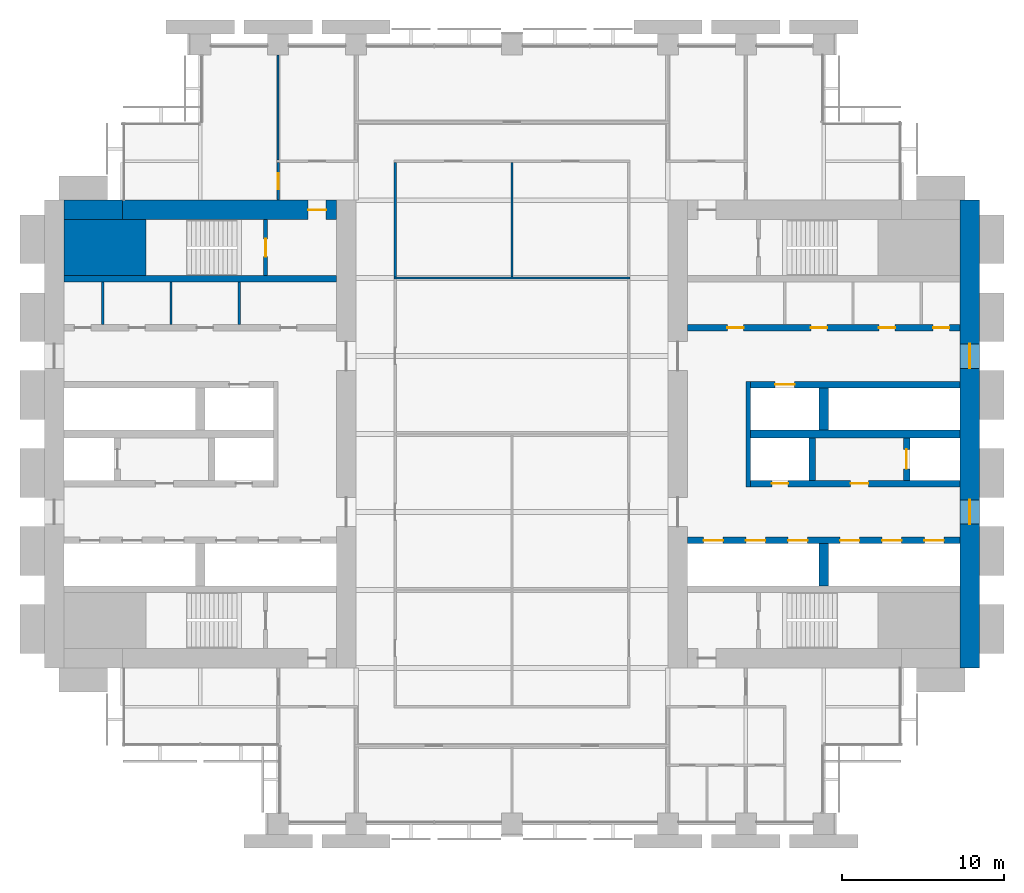
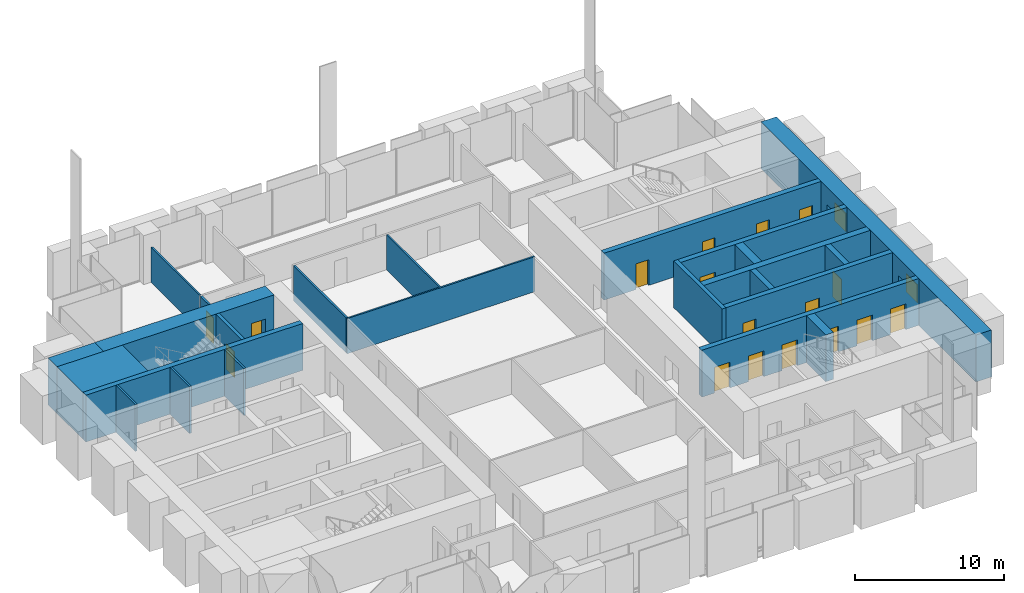
# One storey, part 11 of 14: 24 walls, 17 doors, 2 windows, 19 openings.
"""IFC4 building model written with IfcOpenShell, lengths in metres."""

import ifcopenshell
import ifcopenshell.guid

model = None  # the IFC model being written
_history = None  # IfcOwnerHistory: only IFC2X3 demands one
_inside = {}  # id of a spatial element -> (the spatial element, [elements in it])
_under = {}  # id of a project, library or spatial element -> (it, [spatial elements below it])
_declared = {}  # id of a project -> (the project, [libraries it declares])
_typed = {}  # id of a type object -> (the type object, [elements of that type])
_made_of = {}  # id of a material, layer set ... -> (it, [elements and type objects made of it])


def new_model(schema):
    """Start an empty IFC model of exactly this schema.

    Asked for "IFC4X3", IfcOpenShell would pick the latest addendum, in which some entities
    have other attributes; the version numbers below select the first issue.
    IFC2X3 requires an IfcOwnerHistory on every rooted entity: one is made here for all.
    """
    global model, _history
    if schema == "IFC4X3":
        model = ifcopenshell.file(schema_version=(4, 3, 0, 0))
    else:
        model = ifcopenshell.file(schema=schema)
    _inside.clear()
    _under.clear()
    _declared.clear()
    _typed.clear()
    _made_of.clear()
    _history = None
    if model.schema == "IFC2X3":
        org = make("IfcOrganization", Name="unknown")
        user = make(
            "IfcPersonAndOrganization",
            ThePerson=make("IfcPerson", FamilyName="unknown"),
            TheOrganization=org,
        )
        app = make(
            "IfcApplication",
            ApplicationDeveloper=org,
            Version="unknown",
            ApplicationFullName="unknown",
            ApplicationIdentifier="unknown",
        )
        _history = make(
            "IfcOwnerHistory",
            OwningUser=user,
            OwningApplication=app,
            ChangeAction="ADDED",
            CreationDate=0,
        )
    return model


def make(cls, **values):
    """One entity of the class cls with the attributes given. An attribute that is None is left unset."""
    return model.create_entity(
        cls, **{name: value for name, value in values.items() if value is not None}
    )


def rooted(cls, **values):
    """An entity with a GlobalId (a new one), such as an element, a storey or a relation."""
    return make(cls, GlobalId=ifcopenshell.guid.new(), OwnerHistory=_history, **values)


def si_unit(unit_type, name, prefix=None):
    """IfcSIUnit, for example si_unit("LENGTHUNIT", "METRE", prefix="MILLI")."""
    return make("IfcSIUnit", UnitType=unit_type, Prefix=prefix, Name=name)


def assignment(units):
    """IfcUnitAssignment: the units of a project."""
    return None if units is None else make("IfcUnitAssignment", Units=units)


def point(xyz):
    """IfcCartesianPoint."""
    return None if xyz is None else make("IfcCartesianPoint", Coordinates=xyz)


def direction(xyz):
    """IfcDirection."""
    return None if xyz is None else make("IfcDirection", DirectionRatios=xyz)


def frame(location, z_axis=None, x_axis=None):
    """IfcAxis2Placement3D, a coordinate frame: its origin and axes. An axis left out is left unset."""
    return make(
        "IfcAxis2Placement3D",
        Location=point(location),
        Axis=direction(z_axis),
        RefDirection=direction(x_axis),
    )


def frame_2d(location, x_axis=None):
    """IfcAxis2Placement2D, a coordinate frame in the plane: its origin and x axis."""
    return make(
        "IfcAxis2Placement2D", Location=point(location), RefDirection=direction(x_axis)
    )


def origin():
    """The frame at (0, 0, 0) with its axes left unset."""
    return frame((0.0, 0.0, 0.0))


def place(relative_to, where):
    """IfcLocalPlacement: puts the frame where relative to a parent placement (None: the world)."""
    return make(
        "IfcLocalPlacement", PlacementRelTo=relative_to, RelativePlacement=where
    )


def context(
    kind, dimensions, precision=None, world=None, true_north=None, identifier=None
):
    """IfcGeometricRepresentationContext, for example the 3D "Model" context."""
    return make(
        "IfcGeometricRepresentationContext",
        ContextIdentifier=identifier,
        ContextType=kind,
        CoordinateSpaceDimension=dimensions,
        Precision=precision,
        WorldCoordinateSystem=world,
        TrueNorth=true_north,
    )


def subcontext(parent, identifier, kind, view, scale=None):
    """IfcGeometricRepresentationSubContext, for example "Body" below "Model"."""
    return make(
        "IfcGeometricRepresentationSubContext",
        ContextIdentifier=identifier,
        ContextType=kind,
        ParentContext=parent,
        TargetScale=scale,
        TargetView=view,
    )


def project(units=None, contexts=None):
    """IfcProject with its units and contexts."""
    return rooted(
        "IfcProject",
        Name="project",
        RepresentationContexts=contexts,
        UnitsInContext=assignment(units),
    )


def spatial(cls, under=None, at=None, **own):
    """A site, building, storey or space (cls), placed at a placement, below another one or the project."""
    s = rooted(cls, ObjectPlacement=at, **own)
    if under is not None:
        _under.setdefault(under.id(), (under, []))[1].append(s)
    return s


def profile(cls, at=None, kind="AREA", **sizes):
    """A parametric profile (cls). Its sizes go by their IFC names, for example OverallWidth=200.0."""
    return make(cls, ProfileType=kind, Position=at, **sizes)


def rectangle(**sizes):
    """IfcRectangleProfileDef."""
    return profile("IfcRectangleProfileDef", **sizes)


def extrude(swept, where, along, depth):
    """IfcExtrudedAreaSolid: the profile swept, set in the frame where, extruded along a direction by depth."""
    return make(
        "IfcExtrudedAreaSolid",
        SweptArea=swept,
        Position=where,
        ExtrudedDirection=direction(along),
        Depth=depth,
    )


def shape(context_of_items, identifier, shape_type, items):
    """IfcShapeRepresentation: the items that make up one representation, for example the "Body"."""
    return make(
        "IfcShapeRepresentation",
        ContextOfItems=context_of_items,
        RepresentationIdentifier=identifier,
        RepresentationType=shape_type,
        Items=items,
    )


def material(Name=None, Category=None):
    """IfcMaterial."""
    return make("IfcMaterial", Name=Name, Category=Category)


def layer(
    of_material, thickness, ventilated=None, Name=None, Category=None, Priority=None
):
    """IfcMaterialLayer: one layer of a wall or slab, of a material (None: an air gap)."""
    return make(
        "IfcMaterialLayer",
        Material=of_material,
        LayerThickness=thickness,
        IsVentilated=ventilated,
        Name=Name,
        Category=Category,
        Priority=Priority,
    )


def layer_set(layers, Name=None):
    """IfcMaterialLayerSet."""
    return make("IfcMaterialLayerSet", MaterialLayers=layers, LayerSetName=Name)


def made_of(thing, what):
    """Note that an element or type object is made of a material, layer set ...; save() writes the relation."""
    if what is not None:
        _made_of.setdefault(what.id(), (what, []))[1].append(thing)
    return thing


def type_object(cls, material=None, **own):
    """A type object (cls), such as IfcWallType, which elements share."""
    return made_of(rooted(cls, **own), material)


def element(
    cls,
    number,
    at=None,
    inside=None,
    cuts=None,
    type_object=None,
    material=None,
    context=None,
    identifier="Body",
    shape_type=None,
    held_by="IfcProductDefinitionShape",
    body=None,
    shapes=None,
    **own,
):
    """One element of the class cls, such as IfcWall. Its Tag is "e" and its number.

    at: its placement. inside: the storey or other place that contains it. cuts: it is an
    opening in that element (IfcRelVoidsElement). A single representation is given by context,
    identifier, shape_type and body (its items); several are given by shapes. held_by: the class
    of the entity that holds the representations. save() writes the other relations.
    """
    e = rooted(cls, Tag="e%d" % number, ObjectPlacement=at, **own)
    if body is not None:
        shapes = [shape(context, identifier, shape_type, body)]
    if shapes is not None:
        e.Representation = make(held_by, Representations=shapes)
    if inside is not None:
        _inside.setdefault(inside.id(), (inside, []))[1].append(e)
    if cuts is not None:
        rooted(
            "IfcRelVoidsElement", RelatingBuildingElement=cuts, RelatedOpeningElement=e
        )
    if type_object is not None:
        _typed.setdefault(type_object.id(), (type_object, []))[1].append(e)
    return made_of(e, material)


def fill(opening, filler):
    """IfcRelFillsElement: the door or window that sits in an opening."""
    return rooted(
        "IfcRelFillsElement",
        RelatingOpeningElement=opening,
        RelatedBuildingElement=filler,
    )


def aggregate(whole, parts):
    """IfcRelAggregates: a whole, such as a stair, and the parts it consists of."""
    return rooted("IfcRelAggregates", RelatingObject=whole, RelatedObjects=parts)


def save(model, path):
    """Write the relations noted so far, then the file.

    IfcRelAggregates (storeys below a building ...), IfcRelContainedInSpatialStructure (elements
    in a storey), IfcRelDefinesByType, IfcRelAssociatesMaterial and IfcRelDeclares: one each for
    every whole, place, type object, material and project.
    """
    for whole, parts in _under.values():
        aggregate(whole, parts)
    for where, things in _inside.values():
        rooted(
            "IfcRelContainedInSpatialStructure",
            RelatedElements=things,
            RelatingStructure=where,
        )
    for kind, things in _typed.values():
        rooted("IfcRelDefinesByType", RelatedObjects=things, RelatingType=kind)
    for what, things in _made_of.values():
        rooted("IfcRelAssociatesMaterial", RelatedObjects=things, RelatingMaterial=what)
    for by, libraries in _declared.values():
        rooted("IfcRelDeclares", RelatingContext=by, RelatedDefinitions=libraries)
    model.write(path)


model = new_model("IFC4")

# Units and contexts
model_context = context("Model", 3, precision=1e-05, world=origin(), true_north=direction((0.0, 1.0)))
body_context = subcontext(model_context, "Body", "Model", "MODEL_VIEW")
ifc_project = project(units=[si_unit("LENGTHUNIT", "METRE"), si_unit("AREAUNIT", "SQUARE_METRE"), si_unit("VOLUMEUNIT", "CUBIC_METRE"), si_unit("PLANEANGLEUNIT", "RADIAN"), si_unit("MASSUNIT", "GRAM", prefix="KILO")], contexts=[model_context])

# Site, building, storey
site_placement = place(None, origin())
site = spatial("IfcSite", under=ifc_project, at=site_placement, CompositionType="ELEMENT")
building_placement = place(site_placement, origin())
building = spatial("IfcBuilding", under=site, at=building_placement, Name="Baori Bourse Tower", CompositionType="ELEMENT")
storey_placement = place(building_placement, frame((0.0, 0.0, 39.0)))
storey = spatial("IfcBuildingStorey", under=building, at=storey_placement, Name="L07", CompositionType="ELEMENT", Elevation=39.0)

# Walls
ifc_material_1 = material(Name="Concrete f'c 70 MPa", Category="concrete")
wall_type_1 = type_object("IfcWallType", Name="Core corner block f'c 70", PredefinedType="SHEAR", material=ifc_material_1)
wall_1_placement = place(storey_placement, frame((1.199951171875, 35.47509765625, 0.0), z_axis=(0.0, 0.0, 1.0), x_axis=(1.0, 0.0, 0.0)))
element("IfcWall", 1, at=wall_1_placement, inside=storey, type_object=wall_type_1, Name="Core wall W22", PredefinedType="SHEAR", context=body_context, shape_type="SweptSolid", body=[
    extrude(rectangle(XDim=5.050048828125, YDim=3.449951171875, at=frame_2d((2.52490234375, 0.0))), origin(), (0.0, 0.0, 1.0), 3.840087890625),
])
ifc_material_2 = material(Name="Blockwork partition", Category="masonry")
ifc_layer_1 = layer(ifc_material_2, 0.14990234375)
ifc_layer_set_1 = layer_set([ifc_layer_1], Name="Core partition 150")
wall_type_2 = type_object("IfcWallType", Name="Core partition 150", PredefinedType="PARTITIONING", material=ifc_layer_set_1)
for number, where, z_axis, x_axis, name in (
    (2, (3.60009765625, 30.75, 0.0), (0.0, 0.0, 1.0), (0.0, 1.0, 0.0), "Partition wall W18"),
    (3, (7.800048828125, 30.75, 0.0), (0.0, 0.0, 1.0), (0.0, 1.0, 0.0), "Partition wall W19"),
    (4, (12.0, 30.75, 0.0), (0.0, 0.0, 1.0), (0.0, 1.0, 0.0), "Partition wall W20"),
):
    element("IfcWall", number, at=place(storey_placement, frame(where, z_axis=z_axis, x_axis=x_axis)), inside=storey, type_object=wall_type_2, Name=name, PredefinedType="PARTITIONING", context=body_context, shape_type="SweptSolid", body=[
        extrude(rectangle(XDim=2.60009765625, YDim=0.14990234375, at=frame_2d((1.300048828125, 0.0))), origin(), (0.0, 0.0, 1.0), 3.840087890625),
    ])
ifc_material_3 = material(Name="Concrete f'c 70 MPa", Category="concrete")
ifc_layer_2 = layer(ifc_material_3, 1.199951171875)
ifc_layer_set_2 = layer_set([ifc_layer_2], Name="Core wall 1200 f'c 70")
wall_type_3 = type_object("IfcWallType", Name="Core wall 1200 f'c 70", PredefinedType="SHEAR", material=ifc_layer_set_2)
wall_2_placement = place(storey_placement, frame((1.199951171875, 37.800048828125, 0.0), z_axis=(0.0, 0.0, 1.0), x_axis=(1.0, 0.0, 0.0)))
element("IfcWall", 5, at=wall_2_placement, inside=storey, type_object=wall_type_3, Name="Core wall W24", PredefinedType="SHEAR", context=body_context, shape_type="SweptSolid", body=[
    extrude(rectangle(XDim=3.60009765625, YDim=1.199951171875, at=frame_2d((1.800048828125, 0.0))), origin(), (0.0, 0.0, 1.0), 3.840087890625),
])

# Wall, opening, door
wall_3_placement = place(storey_placement, frame((4.800048828125, 37.800048828125, 0.0), z_axis=(0.0, 0.0, 1.0), x_axis=(1.0, 0.0, 0.0)))
wall_3 = element("IfcWall", 6, at=wall_3_placement, inside=storey, type_object=wall_type_3, Name="Core wall W25", PredefinedType="SHEAR", context=body_context, shape_type="SweptSolid", body=[
    extrude(rectangle(XDim=13.199951171875, YDim=1.199951171875, at=frame_2d((6.60009765625, 0.0))), origin(), (0.0, 0.0, 1.0), 3.840087890625),
])
opening_1_placement = place(wall_3_placement, frame((11.449951171875, 0.0, 0.0)))
opening_1 = element("IfcOpeningElement", 7, at=opening_1_placement, cuts=wall_3, Name="Opening L07-D104", PredefinedType="OPENING", context=body_context, shape_type="SweptSolid", body=[
    extrude(rectangle(XDim=1.10009765625, YDim=2.10009765625, at=frame_2d((0.550048828125, 1.050048828125))), frame((0.0, 0.60986328125, 0.0), z_axis=(0.0, -1.0, 0.0), x_axis=(1.0, 0.0, 0.0)), (0.0, 0.0, 1.0), 1.219970703125),
])
ifc_material_4 = material(Name="Painted steel door", Category="steel")
door_type_1 = type_object("IfcDoorType", Name="Stair door 1100", OperationType="SINGLE_SWING_LEFT", PredefinedType="DOOR", material=ifc_material_4)
door_1_placement = place(opening_1_placement, origin())
door_1 = element("IfcDoor", 8, at=door_1_placement, inside=storey, type_object=door_type_1, Name="Stair vestibule door B W L07", OperationType="SINGLE_SWING_LEFT", OverallHeight=2.10009765625, OverallWidth=1.10009765625, PredefinedType="DOOR", context=body_context, shape_type="SweptSolid", body=[
    extrude(rectangle(XDim=1.10009765625, YDim=2.10009765625, at=frame_2d((0.550048828125, 1.050048828125))), frame((0.0, 0.02490234375, 0.0), z_axis=(0.0, -1.0, 0.0), x_axis=(1.0, 0.0, 0.0)), (0.0, 0.0, 1.0), 0.050048828125),
])
fill(opening_1, door_1)

# Wall, openings, windows
wall_4_placement = place(storey_placement, frame((57.0, 38.39990234375, 0.0), z_axis=(0.0, 0.0, 1.0), x_axis=(0.0, -1.0, 0.0)))
wall_4 = element("IfcWall", 9, at=wall_4_placement, inside=storey, type_object=wall_type_3, Name="Core wall E01", PredefinedType="SHEAR", context=body_context, shape_type="SweptSolid", body=[
    extrude(rectangle(XDim=28.7998046875, YDim=1.199951171875, at=frame_2d((14.39990234375, 0.0))), origin(), (0.0, 0.0, 1.0), 3.840087890625),
])
opening_2_placement = place(wall_4_placement, frame((18.449951171875, 0.0, 0.89990234375)))
opening_2 = element("IfcOpeningElement", 10, at=opening_2_placement, cuts=wall_4, Name="Opening L07-KW201", PredefinedType="OPENING", context=body_context, shape_type="SweptSolid", body=[
    extrude(rectangle(XDim=1.5, YDim=1.5, at=frame_2d((0.75, 0.75))), frame((0.0, 0.60986328125, 0.0), z_axis=(0.0, -1.0, 0.0), x_axis=(1.0, 0.0, 0.0)), (0.0, 0.0, 1.0), 1.219970703125),
])
opening_3_placement = place(wall_4_placement, frame((8.85009765625, 0.0, 0.89990234375)))
opening_3 = element("IfcOpeningElement", 11, at=opening_3_placement, cuts=wall_4, Name="Opening L07-KW202", PredefinedType="OPENING", context=body_context, shape_type="SweptSolid", body=[
    extrude(rectangle(XDim=1.5, YDim=1.5, at=frame_2d((0.75, 0.75))), frame((0.0, 0.60986328125, 0.0), z_axis=(0.0, -1.0, 0.0), x_axis=(1.0, 0.0, 0.0)), (0.0, 0.0, 1.0), 1.219970703125),
])
ifc_material_5 = material(Name="Pale anodised aluminium", Category="aluminium")
window_type = type_object("IfcWindowType", Name="Lobby window 1500 x 1500", PartitioningType="SINGLE_PANEL", PredefinedType="WINDOW", material=ifc_material_5)
window_1_placement = place(opening_2_placement, origin())
window_1 = element("IfcWindow", 12, at=window_1_placement, inside=storey, type_object=window_type, Name="Outer wall window E L07 1", OverallHeight=1.5, OverallWidth=1.5, PartitioningType="SINGLE_PANEL", PredefinedType="WINDOW", context=body_context, shape_type="SweptSolid", body=[
    extrude(rectangle(XDim=1.5, YDim=1.5, at=frame_2d((0.75, 0.75))), frame((0.0, 0.030029296875, 0.0), z_axis=(0.0, -1.0, 0.0), x_axis=(1.0, 0.0, 0.0)), (0.0, 0.0, 1.0), 0.06005859375),
])
fill(opening_2, window_1)
window_2_placement = place(opening_3_placement, origin())
window_2 = element("IfcWindow", 13, at=window_2_placement, inside=storey, type_object=window_type, Name="Outer wall window E L07 2", OverallHeight=1.5, OverallWidth=1.5, PartitioningType="SINGLE_PANEL", PredefinedType="WINDOW", context=body_context, shape_type="SweptSolid", body=[
    extrude(rectangle(XDim=1.5, YDim=1.5, at=frame_2d((0.75, 0.75))), frame((0.0, 0.030029296875, 0.0), z_axis=(0.0, -1.0, 0.0), x_axis=(1.0, 0.0, 0.0)), (0.0, 0.0, 1.0), 0.06005859375),
])
fill(opening_3, window_2)

# Wall, opening, door
ifc_material_6 = material(Name="Gypsum board partition")
ifc_layer_3 = layer(ifc_material_6, 0.14990234375)
ifc_layer_set_3 = layer_set([ifc_layer_3], Name="Corridor partition 150")
wall_type_4 = type_object("IfcWallType", Name="Corridor partition 150", PredefinedType="PARTITIONING", material=ifc_layer_set_3)
wall_5_placement = place(storey_placement, frame((14.39990234375, 38.39990234375, 0.0), z_axis=(0.0, 0.0, 1.0), x_axis=(0.0, 1.0, 0.0)))
wall_5 = element("IfcWall", 14, at=wall_5_placement, inside=storey, type_object=wall_type_4, Name="Partition", PredefinedType="PARTITIONING", context=body_context, shape_type="SweptSolid", body=[
    extrude(rectangle(XDim=2.3251953125, YDim=0.14990234375, at=frame_2d((1.16259765625, 0.0))), origin(), (0.0, 0.0, 1.0), 2.86962890625),
])
opening_4_placement = place(wall_5_placement, frame((0.66259765625, 0.0, 0.0)))
opening_4 = element("IfcOpeningElement", 15, at=opening_4_placement, cuts=wall_5, Name="Opening L07-D14", PredefinedType="OPENING", context=body_context, shape_type="SweptSolid", body=[
    extrude(rectangle(XDim=1.0, YDim=2.10009765625, at=frame_2d((0.5, 1.050048828125))), frame((0.0, 0.0849609375, 0.0), z_axis=(0.0, -1.0, 0.0), x_axis=(1.0, 0.0, 0.0)), (0.0, 0.0, 1.0), 0.169921875),
])
ifc_material_7 = material(Name="Timber door leaf", Category="wood")
door_type_2 = type_object("IfcDoorType", Name="Door 1000 x 2100", OperationType="SINGLE_SWING_LEFT", PredefinedType="DOOR", material=ifc_material_7)
door_2_placement = place(opening_4_placement, origin())
door_2 = element("IfcDoor", 16, at=door_2_placement, inside=storey, type_object=door_type_2, Name="Door", OperationType="SINGLE_SWING_RIGHT", OverallHeight=2.10009765625, OverallWidth=1.0, PredefinedType="DOOR", context=body_context, shape_type="SweptSolid", body=[
    extrude(rectangle(XDim=1.0, YDim=2.10009765625, at=frame_2d((0.5, 1.050048828125))), frame((0.0, 0.02490234375, 0.0), z_axis=(0.0, -1.0, 0.0), x_axis=(1.0, 0.0, 0.0)), (0.0, 0.0, 1.0), 0.050048828125),
])
fill(opening_4, door_2)

# Walls
wall_6_placement = place(storey_placement, frame((21.60009765625, 33.66259765625, 0.0), z_axis=(0.0, 0.0, 1.0), x_axis=(0.0, 1.0, 0.0)))
element("IfcWall", 17, at=wall_6_placement, inside=storey, type_object=wall_type_4, Name="Partition", PredefinedType="PARTITIONING", context=body_context, shape_type="SweptSolid", body=[
    extrude(rectangle(XDim=7.0625, YDim=0.14990234375, at=frame_2d((3.53125, 0.0))), origin(), (0.0, 0.0, 1.0), 2.86962890625),
])
ifc_material_8 = material(Name="Gypsum board partition")
ifc_layer_4 = layer(ifc_material_8, 0.125)
ifc_layer_set_4 = layer_set([ifc_layer_4], Name="Partition 125")
wall_type_5 = type_object("IfcWallType", Name="Partition 125", PredefinedType="PARTITIONING", material=ifc_layer_set_4)
wall_7_placement = place(storey_placement, frame((21.52490234375, 33.60009765625, 0.0), z_axis=(0.0, 0.0, 1.0), x_axis=(1.0, 0.0, 0.0)))
element("IfcWall", 18, at=wall_7_placement, inside=storey, type_object=wall_type_5, Name="Partition", PredefinedType="PARTITIONING", context=body_context, shape_type="SweptSolid", body=[
    extrude(rectangle(XDim=14.550048828125, YDim=0.125, at=frame_2d((7.27490234375, 0.0))), origin(), (0.0, 0.0, 1.0), 2.86962890625),
])
wall_8_placement = place(storey_placement, frame((14.39990234375, 40.875, 0.0), z_axis=(0.0, 0.0, 1.0), x_axis=(0.0, 1.0, 0.0)))
element("IfcWall", 19, at=wall_8_placement, inside=storey, type_object=wall_type_5, Name="Partition", PredefinedType="PARTITIONING", context=body_context, shape_type="SweptSolid", body=[
    extrude(rectangle(XDim=6.47509765625, YDim=0.125, at=frame_2d((3.237548828125, 0.0))), origin(), (0.0, 0.0, 1.0), 2.86962890625),
])
wall_9_placement = place(storey_placement, frame((28.800048828125, 33.66259765625, 0.0), z_axis=(0.0, 0.0, 1.0), x_axis=(0.0, 1.0, 0.0)))
element("IfcWall", 20, at=wall_9_placement, inside=storey, type_object=wall_type_5, Name="Partition", PredefinedType="PARTITIONING", context=body_context, shape_type="SweptSolid", body=[
    extrude(rectangle(XDim=7.0625, YDim=0.125, at=frame_2d((3.53125, 0.0))), origin(), (0.0, 0.0, 1.0), 2.86962890625),
])

# Wall, opening, door
ifc_material_9 = material(Name="Concrete f'c 70 MPa", Category="concrete")
ifc_layer_5 = layer(ifc_material_9, 0.25)
ifc_layer_set_5 = layer_set([ifc_layer_5], Name="Shaft wall 250 f'c 70")
wall_type_6 = type_object("IfcWallType", Name="Shaft wall 250 f'c 70", PredefinedType="SHEAR", material=ifc_layer_set_5)
wall_10_placement = place(storey_placement, frame((13.625, 33.75, 0.0), z_axis=(0.0, 0.0, 1.0), x_axis=(0.0, 1.0, 0.0)))
wall_10 = element("IfcWall", 21, at=wall_10_placement, inside=storey, type_object=wall_type_6, Name="Core wall W23", PredefinedType="SHEAR", context=body_context, shape_type="SweptSolid", body=[
    extrude(rectangle(XDim=3.449951171875, YDim=0.25, at=frame_2d((1.72509765625, 0.0))), origin(), (0.0, 0.0, 1.0), 3.840087890625),
])
opening_5_placement = place(wall_10_placement, frame((1.175048828125, 0.0, 0.0)))
opening_5 = element("IfcOpeningElement", 22, at=opening_5_placement, cuts=wall_10, Name="Opening L07-D103", PredefinedType="OPENING", context=body_context, shape_type="SweptSolid", body=[
    extrude(rectangle(XDim=1.10009765625, YDim=2.10009765625, at=frame_2d((0.550048828125, 1.050048828125))), frame((0.0, 0.135009765625, 0.0), z_axis=(0.0, -1.0, 0.0), x_axis=(1.0, 0.0, 0.0)), (0.0, 0.0, 1.0), 0.27001953125),
])
door_3_placement = place(opening_5_placement, origin())
door_3 = element("IfcDoor", 23, at=door_3_placement, inside=storey, type_object=door_type_1, Name="Stair door B W L07", OperationType="SINGLE_SWING_LEFT", OverallHeight=2.10009765625, OverallWidth=1.10009765625, PredefinedType="DOOR", context=body_context, shape_type="SweptSolid", body=[
    extrude(rectangle(XDim=1.10009765625, YDim=2.10009765625, at=frame_2d((0.550048828125, 1.050048828125))), frame((0.0, 0.02490234375, 0.0), z_axis=(0.0, -1.0, 0.0), x_axis=(1.0, 0.0, 0.0)), (0.0, 0.0, 1.0), 0.050048828125),
])
fill(opening_5, door_3)

# Walls
ifc_material_10 = material(Name="Concrete f'c 70 MPa", Category="concrete")
ifc_layer_6 = layer(ifc_material_10, 0.300048828125)
ifc_layer_set_6 = layer_set([ifc_layer_6], Name="Shaft wall 300 f'c 70")
wall_type_7 = type_object("IfcWallType", Name="Shaft wall 300 f'c 70", PredefinedType="SHEAR", material=ifc_layer_set_6)
wall_11_placement = place(storey_placement, frame((43.35009765625, 20.75, 0.0), z_axis=(0.0, 0.0, 1.0), x_axis=(0.0, 1.0, 0.0)))
element("IfcWall", 24, at=wall_11_placement, inside=storey, type_object=wall_type_7, Name="Core wall E11", PredefinedType="SHEAR", context=body_context, shape_type="SweptSolid", body=[
    extrude(rectangle(XDim=6.5, YDim=0.300048828125, at=frame_2d((3.25, 0.0))), origin(), (0.0, 0.0, 1.0), 3.840087890625),
])
ifc_material_11 = material(Name="Concrete f'c 70 MPa", Category="concrete")
ifc_layer_7 = layer(ifc_material_11, 0.39990234375)
ifc_layer_set_7 = layer_set([ifc_layer_7], Name="Shaft wall 400 f'c 70")
wall_type_8 = type_object("IfcWallType", Name="Shaft wall 400 f'c 70", PredefinedType="SHEAR", material=ifc_layer_set_7)
wall_12_placement = place(storey_placement, frame((1.199951171875, 33.550048828125, 0.0), z_axis=(0.0, 0.0, 1.0), x_axis=(1.0, 0.0, 0.0)))
element("IfcWall", 25, at=wall_12_placement, inside=storey, type_object=wall_type_8, Name="Core wall W21", PredefinedType="SHEAR", context=body_context, shape_type="SweptSolid", body=[
    extrude(rectangle(XDim=16.800048828125, YDim=0.39990234375, at=frame_2d((8.39990234375, 0.0))), origin(), (0.0, 0.0, 1.0), 3.840087890625),
])

# Wall, openings, doors
wall_13_placement = place(storey_placement, frame((39.60009765625, 17.449951171875, 0.0), z_axis=(0.0, 0.0, 1.0), x_axis=(1.0, 0.0, 0.0)))
wall_13 = element("IfcWall", 26, at=wall_13_placement, inside=storey, type_object=wall_type_8, Name="Core wall E09", PredefinedType="SHEAR", context=body_context, shape_type="SweptSolid", body=[
    extrude(rectangle(XDim=16.7998046875, YDim=0.39990234375, at=frame_2d((8.39990234375, 0.0))), origin(), (0.0, 0.0, 1.0), 3.840087890625),
])
opening_6_placement = place(wall_13_placement, frame((14.60009765625, 0.0, 0.0)))
opening_6 = element("IfcOpeningElement", 27, at=opening_6_placement, cuts=wall_13, Name="Opening L07-D213", PredefinedType="OPENING", context=body_context, shape_type="SweptSolid", body=[
    extrude(rectangle(XDim=1.199951171875, YDim=2.10009765625, at=frame_2d((0.60009765625, 1.050048828125))), frame((0.0, 0.2099609375, 0.0), z_axis=(0.0, -1.0, 0.0), x_axis=(1.0, 0.0, 0.0)), (0.0, 0.0, 1.0), 0.419921875),
])
opening_7_placement = place(wall_13_placement, frame((12.0, 0.0, 0.0)))
opening_7 = element("IfcOpeningElement", 28, at=opening_7_placement, cuts=wall_13, Name="Opening L07-D214", PredefinedType="OPENING", context=body_context, shape_type="SweptSolid", body=[
    extrude(rectangle(XDim=1.199951171875, YDim=2.10009765625, at=frame_2d((0.60009765625, 1.050048828125))), frame((0.0, 0.2099609375, 0.0), z_axis=(0.0, -1.0, 0.0), x_axis=(1.0, 0.0, 0.0)), (0.0, 0.0, 1.0), 0.419921875),
])
opening_8_placement = place(wall_13_placement, frame((9.39990234375, 0.0, 0.0)))
opening_8 = element("IfcOpeningElement", 29, at=opening_8_placement, cuts=wall_13, Name="Opening L07-D215", PredefinedType="OPENING", context=body_context, shape_type="SweptSolid", body=[
    extrude(rectangle(XDim=1.199951171875, YDim=2.10009765625, at=frame_2d((0.60009765625, 1.050048828125))), frame((0.0, 0.2099609375, 0.0), z_axis=(0.0, -1.0, 0.0), x_axis=(1.0, 0.0, 0.0)), (0.0, 0.0, 1.0), 0.419921875),
])
opening_9_placement = place(wall_13_placement, frame((6.199951171875, 0.0, 0.0)))
opening_9 = element("IfcOpeningElement", 30, at=opening_9_placement, cuts=wall_13, Name="Opening L07-D216", PredefinedType="OPENING", context=body_context, shape_type="SweptSolid", body=[
    extrude(rectangle(XDim=1.199951171875, YDim=2.10009765625, at=frame_2d((0.60009765625, 1.050048828125))), frame((0.0, 0.2099609375, 0.0), z_axis=(0.0, -1.0, 0.0), x_axis=(1.0, 0.0, 0.0)), (0.0, 0.0, 1.0), 0.419921875),
])
opening_10_placement = place(wall_13_placement, frame((3.60009765625, 0.0, 0.0)))
opening_10 = element("IfcOpeningElement", 31, at=opening_10_placement, cuts=wall_13, Name="Opening L07-D217", PredefinedType="OPENING", context=body_context, shape_type="SweptSolid", body=[
    extrude(rectangle(XDim=1.199951171875, YDim=2.10009765625, at=frame_2d((0.60009765625, 1.050048828125))), frame((0.0, 0.2099609375, 0.0), z_axis=(0.0, -1.0, 0.0), x_axis=(1.0, 0.0, 0.0)), (0.0, 0.0, 1.0), 0.419921875),
])
opening_11_placement = place(wall_13_placement, frame((1.0, 0.0, 0.0)))
opening_11 = element("IfcOpeningElement", 32, at=opening_11_placement, cuts=wall_13, Name="Opening L07-D218", PredefinedType="OPENING", context=body_context, shape_type="SweptSolid", body=[
    extrude(rectangle(XDim=1.199951171875, YDim=2.10009765625, at=frame_2d((0.60009765625, 1.050048828125))), frame((0.0, 0.2099609375, 0.0), z_axis=(0.0, -1.0, 0.0), x_axis=(1.0, 0.0, 0.0)), (0.0, 0.0, 1.0), 0.419921875),
])
ifc_material_12 = material(Name="Stainless steel door", Category="steel")
door_type_3 = type_object("IfcDoorType", Name="Lift landing door", OperationType="DOUBLE_DOOR_SLIDING", PredefinedType="DOOR", material=ifc_material_12)
door_4_placement = place(opening_6_placement, origin())
door_4 = element("IfcDoor", 33, at=door_4_placement, inside=storey, type_object=door_type_3, Name="Lift landing door LR1 E L07", OperationType="DOUBLE_DOOR_SLIDING", OverallHeight=2.10009765625, OverallWidth=1.199951171875, PredefinedType="DOOR", context=body_context, shape_type="SweptSolid", body=[
    extrude(rectangle(XDim=1.199951171875, YDim=2.10009765625, at=frame_2d((0.60009765625, 1.050048828125))), frame((0.0, 0.02490234375, 0.0), z_axis=(0.0, -1.0, 0.0), x_axis=(1.0, 0.0, 0.0)), (0.0, 0.0, 1.0), 0.050048828125),
])
fill(opening_6, door_4)
door_5_placement = place(opening_7_placement, origin())
door_5 = element("IfcDoor", 34, at=door_5_placement, inside=storey, type_object=door_type_3, Name="Lift landing door LR2 E L07", OperationType="DOUBLE_DOOR_SLIDING", OverallHeight=2.10009765625, OverallWidth=1.199951171875, PredefinedType="DOOR", context=body_context, shape_type="SweptSolid", body=[
    extrude(rectangle(XDim=1.199951171875, YDim=2.10009765625, at=frame_2d((0.60009765625, 1.050048828125))), frame((0.0, 0.02490234375, 0.0), z_axis=(0.0, -1.0, 0.0), x_axis=(1.0, 0.0, 0.0)), (0.0, 0.0, 1.0), 0.050048828125),
])
fill(opening_7, door_5)
door_6_placement = place(opening_8_placement, origin())
door_6 = element("IfcDoor", 35, at=door_6_placement, inside=storey, type_object=door_type_3, Name="Lift landing door LR3 E L07", OperationType="DOUBLE_DOOR_SLIDING", OverallHeight=2.10009765625, OverallWidth=1.199951171875, PredefinedType="DOOR", context=body_context, shape_type="SweptSolid", body=[
    extrude(rectangle(XDim=1.199951171875, YDim=2.10009765625, at=frame_2d((0.60009765625, 1.050048828125))), frame((0.0, 0.02490234375, 0.0), z_axis=(0.0, -1.0, 0.0), x_axis=(1.0, 0.0, 0.0)), (0.0, 0.0, 1.0), 0.050048828125),
])
fill(opening_8, door_6)
door_7_placement = place(opening_9_placement, origin())
door_7 = element("IfcDoor", 36, at=door_7_placement, inside=storey, type_object=door_type_3, Name="Lift landing door LR4 E L07", OperationType="DOUBLE_DOOR_SLIDING", OverallHeight=2.10009765625, OverallWidth=1.199951171875, PredefinedType="DOOR", context=body_context, shape_type="SweptSolid", body=[
    extrude(rectangle(XDim=1.199951171875, YDim=2.10009765625, at=frame_2d((0.60009765625, 1.050048828125))), frame((0.0, 0.02490234375, 0.0), z_axis=(0.0, -1.0, 0.0), x_axis=(1.0, 0.0, 0.0)), (0.0, 0.0, 1.0), 0.050048828125),
])
fill(opening_9, door_7)
door_8_placement = place(opening_10_placement, origin())
door_8 = element("IfcDoor", 37, at=door_8_placement, inside=storey, type_object=door_type_3, Name="Lift landing door LR5 E L07", OperationType="DOUBLE_DOOR_SLIDING", OverallHeight=2.10009765625, OverallWidth=1.199951171875, PredefinedType="DOOR", context=body_context, shape_type="SweptSolid", body=[
    extrude(rectangle(XDim=1.199951171875, YDim=2.10009765625, at=frame_2d((0.60009765625, 1.050048828125))), frame((0.0, 0.02490234375, 0.0), z_axis=(0.0, -1.0, 0.0), x_axis=(1.0, 0.0, 0.0)), (0.0, 0.0, 1.0), 0.050048828125),
])
fill(opening_10, door_8)
door_9_placement = place(opening_11_placement, origin())
door_9 = element("IfcDoor", 38, at=door_9_placement, inside=storey, type_object=door_type_3, Name="Lift landing door LR6 E L07", OperationType="DOUBLE_DOOR_SLIDING", OverallHeight=2.10009765625, OverallWidth=1.199951171875, PredefinedType="DOOR", context=body_context, shape_type="SweptSolid", body=[
    extrude(rectangle(XDim=1.199951171875, YDim=2.10009765625, at=frame_2d((0.60009765625, 1.050048828125))), frame((0.0, 0.02490234375, 0.0), z_axis=(0.0, -1.0, 0.0), x_axis=(1.0, 0.0, 0.0)), (0.0, 0.0, 1.0), 0.050048828125),
])
fill(opening_11, door_9)

wall_14_placement = place(storey_placement, frame((43.5, 20.949951171875, 0.0), z_axis=(0.0, 0.0, 1.0), x_axis=(1.0, 0.0, 0.0)))
wall_14 = element("IfcWall", 39, at=wall_14_placement, inside=storey, type_object=wall_type_8, Name="Core wall E10", PredefinedType="SHEAR", context=body_context, shape_type="SweptSolid", body=[
    extrude(rectangle(XDim=12.89990234375, YDim=0.39990234375, at=frame_2d((6.449951171875, 0.0))), origin(), (0.0, 0.0, 1.0), 3.840087890625),
])
opening_12_placement = place(wall_14_placement, frame((6.14990234375, 0.0, 0.0)))
opening_12 = element("IfcOpeningElement", 40, at=opening_12_placement, cuts=wall_14, Name="Opening L07-D205", PredefinedType="OPENING", context=body_context, shape_type="SweptSolid", body=[
    extrude(rectangle(XDim=1.10009765625, YDim=2.10009765625, at=frame_2d((0.550048828125, 1.050048828125))), frame((0.0, 0.2099609375, 0.0), z_axis=(0.0, -1.0, 0.0), x_axis=(1.0, 0.0, 0.0)), (0.0, 0.0, 1.0), 0.419921875),
])
opening_13_placement = place(wall_14_placement, frame((1.300048828125, 0.0, 0.0)))
opening_13 = element("IfcOpeningElement", 41, at=opening_13_placement, cuts=wall_14, Name="Opening L07-D206", PredefinedType="OPENING", context=body_context, shape_type="SweptSolid", body=[
    extrude(rectangle(XDim=1.0, YDim=2.10009765625, at=frame_2d((0.5, 1.050048828125))), frame((0.0, 0.2099609375, 0.0), z_axis=(0.0, -1.0, 0.0), x_axis=(1.0, 0.0, 0.0)), (0.0, 0.0, 1.0), 0.419921875),
])
ifc_material_13 = material(Name="Painted steel door", Category="steel")
door_type_4 = type_object("IfcDoorType", Name="Lobby door 1100", OperationType="SINGLE_SWING_LEFT", PredefinedType="DOOR", material=ifc_material_13)
door_10_placement = place(opening_12_placement, origin())
door_10 = element("IfcDoor", 42, at=door_10_placement, inside=storey, type_object=door_type_4, Name="Firefighting lobby door E L07", OperationType="SINGLE_SWING_LEFT", OverallHeight=2.10009765625, OverallWidth=1.10009765625, PredefinedType="DOOR", context=body_context, shape_type="SweptSolid", body=[
    extrude(rectangle(XDim=1.10009765625, YDim=2.10009765625, at=frame_2d((0.550048828125, 1.050048828125))), frame((0.0, 0.02490234375, 0.0), z_axis=(0.0, -1.0, 0.0), x_axis=(1.0, 0.0, 0.0)), (0.0, 0.0, 1.0), 0.050048828125),
])
fill(opening_12, door_10)
ifc_material_14 = material(Name="Painted steel door", Category="steel")
door_type_5 = type_object("IfcDoorType", Name="Shaft door 1000", OperationType="SINGLE_SWING_LEFT", PredefinedType="DOOR", material=ifc_material_14)
door_11_placement = place(opening_13_placement, origin())
door_11 = element("IfcDoor", 43, at=door_11_placement, inside=storey, type_object=door_type_5, Name="Riser room door E L07", OperationType="SINGLE_SWING_LEFT", OverallHeight=2.10009765625, OverallWidth=1.0, PredefinedType="DOOR", context=body_context, shape_type="SweptSolid", body=[
    extrude(rectangle(XDim=1.0, YDim=2.10009765625, at=frame_2d((0.5, 1.050048828125))), frame((0.0, 0.02490234375, 0.0), z_axis=(0.0, -1.0, 0.0), x_axis=(1.0, 0.0, 0.0)), (0.0, 0.0, 1.0), 0.050048828125),
])
fill(opening_13, door_11)

# Wall, opening, door
wall_15_placement = place(storey_placement, frame((53.10009765625, 21.14990234375, 0.0), z_axis=(0.0, 0.0, 1.0), x_axis=(0.0, 1.0, 0.0)))
wall_15 = element("IfcWall", 44, at=wall_15_placement, inside=storey, type_object=wall_type_8, Name="Core wall E12", PredefinedType="SHEAR", context=body_context, shape_type="SweptSolid", body=[
    extrude(rectangle(XDim=2.60009765625, YDim=0.39990234375, at=frame_2d((1.300048828125, 0.0))), origin(), (0.0, 0.0, 1.0), 3.840087890625),
])
opening_14_placement = place(wall_15_placement, frame((0.699951171875, 0.0, 0.0)))
opening_14 = element("IfcOpeningElement", 45, at=opening_14_placement, cuts=wall_15, Name="Opening L07-D220", PredefinedType="OPENING", context=body_context, shape_type="SweptSolid", body=[
    extrude(rectangle(XDim=1.199951171875, YDim=2.10009765625, at=frame_2d((0.60009765625, 1.050048828125))), frame((0.0, 0.2099609375, 0.0), z_axis=(0.0, -1.0, 0.0), x_axis=(1.0, 0.0, 0.0)), (0.0, 0.0, 1.0), 0.419921875),
])
door_12_placement = place(opening_14_placement, origin())
door_12 = element("IfcDoor", 46, at=door_12_placement, inside=storey, type_object=door_type_3, Name="Lift landing door FF2 E L07", OperationType="DOUBLE_DOOR_SLIDING", OverallHeight=2.10009765625, OverallWidth=1.199951171875, PredefinedType="DOOR", context=body_context, shape_type="SweptSolid", body=[
    extrude(rectangle(XDim=1.199951171875, YDim=2.10009765625, at=frame_2d((0.60009765625, 1.050048828125))), frame((0.0, 0.02490234375, 0.0), z_axis=(0.0, -1.0, 0.0), x_axis=(1.0, 0.0, 0.0)), (0.0, 0.0, 1.0), 0.050048828125),
])
fill(opening_14, door_12)

# Wall
wall_16_placement = place(storey_placement, frame((47.300048828125, 21.14990234375, 0.0), z_axis=(0.0, 0.0, 1.0), x_axis=(0.0, 1.0, 0.0)))
element("IfcWall", 47, at=wall_16_placement, inside=storey, type_object=wall_type_8, Name="Core wall E13", PredefinedType="SHEAR", context=body_context, shape_type="SweptSolid", body=[
    extrude(rectangle(XDim=2.60009765625, YDim=0.39990234375, at=frame_2d((1.300048828125, 0.0))), origin(), (0.0, 0.0, 1.0), 3.840087890625),
])

# Wall, opening, door
wall_17_placement = place(storey_placement, frame((43.5, 27.050048828125, 0.0), z_axis=(0.0, 0.0, 1.0), x_axis=(1.0, 0.0, 0.0)))
wall_17 = element("IfcWall", 48, at=wall_17_placement, inside=storey, type_object=wall_type_8, Name="Core wall E16", PredefinedType="SHEAR", context=body_context, shape_type="SweptSolid", body=[
    extrude(rectangle(XDim=12.89990234375, YDim=0.39990234375, at=frame_2d((6.449951171875, 0.0))), origin(), (0.0, 0.0, 1.0), 3.840087890625),
])
opening_15_placement = place(wall_17_placement, frame((1.5, 0.0, 0.0)))
opening_15 = element("IfcOpeningElement", 49, at=opening_15_placement, cuts=wall_17, Name="Opening L07-D219", PredefinedType="OPENING", context=body_context, shape_type="SweptSolid", body=[
    extrude(rectangle(XDim=1.199951171875, YDim=2.10009765625, at=frame_2d((0.60009765625, 1.050048828125))), frame((0.0, 0.2099609375, 0.0), z_axis=(0.0, -1.0, 0.0), x_axis=(1.0, 0.0, 0.0)), (0.0, 0.0, 1.0), 0.419921875),
])
door_13_placement = place(opening_15_placement, origin())
door_13 = element("IfcDoor", 50, at=door_13_placement, inside=storey, type_object=door_type_3, Name="Lift landing door SV1 E L07", OperationType="DOUBLE_DOOR_SLIDING", OverallHeight=2.10009765625, OverallWidth=1.199951171875, PredefinedType="DOOR", context=body_context, shape_type="SweptSolid", body=[
    extrude(rectangle(XDim=1.199951171875, YDim=2.10009765625, at=frame_2d((0.60009765625, 1.050048828125))), frame((0.0, 0.02490234375, 0.0), z_axis=(0.0, -1.0, 0.0), x_axis=(1.0, 0.0, 0.0)), (0.0, 0.0, 1.0), 0.050048828125),
])
fill(opening_15, door_13)

# Wall, openings, doors
wall_18_placement = place(storey_placement, frame((39.60009765625, 30.550048828125, 0.0), z_axis=(0.0, 0.0, 1.0), x_axis=(1.0, 0.0, 0.0)))
wall_18 = element("IfcWall", 51, at=wall_18_placement, inside=storey, type_object=wall_type_8, Name="Core wall E17", PredefinedType="SHEAR", context=body_context, shape_type="SweptSolid", body=[
    extrude(rectangle(XDim=16.7998046875, YDim=0.39990234375, at=frame_2d((8.39990234375, 0.0))), origin(), (0.0, 0.0, 1.0), 3.840087890625),
])
opening_16_placement = place(wall_18_placement, frame((15.137451171875, 0.0, 0.0)))
opening_16 = element("IfcOpeningElement", 52, at=opening_16_placement, cuts=wall_18, Name="Opening L07-D209", PredefinedType="OPENING", context=body_context, shape_type="SweptSolid", body=[
    extrude(rectangle(XDim=1.0, YDim=2.10009765625, at=frame_2d((0.5, 1.050048828125))), frame((0.0, 0.2099609375, 0.0), z_axis=(0.0, -1.0, 0.0), x_axis=(1.0, 0.0, 0.0)), (0.0, 0.0, 1.0), 0.419921875),
])
opening_17_placement = place(wall_18_placement, frame((11.800048828125, 0.0, 0.0)))
opening_17 = element("IfcOpeningElement", 53, at=opening_17_placement, cuts=wall_18, Name="Opening L07-D210", PredefinedType="OPENING", context=body_context, shape_type="SweptSolid", body=[
    extrude(rectangle(XDim=1.0, YDim=2.10009765625, at=frame_2d((0.5, 1.050048828125))), frame((0.0, 0.2099609375, 0.0), z_axis=(0.0, -1.0, 0.0), x_axis=(1.0, 0.0, 0.0)), (0.0, 0.0, 1.0), 0.419921875),
])
opening_18_placement = place(wall_18_placement, frame((7.60009765625, 0.0, 0.0)))
opening_18 = element("IfcOpeningElement", 54, at=opening_18_placement, cuts=wall_18, Name="Opening L07-D211", PredefinedType="OPENING", context=body_context, shape_type="SweptSolid", body=[
    extrude(rectangle(XDim=1.0, YDim=2.10009765625, at=frame_2d((0.5, 1.050048828125))), frame((0.0, 0.2099609375, 0.0), z_axis=(0.0, -1.0, 0.0), x_axis=(1.0, 0.0, 0.0)), (0.0, 0.0, 1.0), 0.419921875),
])
opening_19_placement = place(wall_18_placement, frame((2.46240234375, 0.0, 0.0)))
opening_19 = element("IfcOpeningElement", 55, at=opening_19_placement, cuts=wall_18, Name="Opening L07-D212", PredefinedType="OPENING", context=body_context, shape_type="SweptSolid", body=[
    extrude(rectangle(XDim=1.0, YDim=2.10009765625, at=frame_2d((0.5, 1.050048828125))), frame((0.0, 0.2099609375, 0.0), z_axis=(0.0, -1.0, 0.0), x_axis=(1.0, 0.0, 0.0)), (0.0, 0.0, 1.0), 0.419921875),
])
ifc_material_15 = material(Name="Painted steel door", Category="steel")
door_type_6 = type_object("IfcDoorType", Name="Core door 1000", OperationType="SINGLE_SWING_LEFT", PredefinedType="DOOR", material=ifc_material_15)
door_14_placement = place(opening_16_placement, origin())
door_14 = element("IfcDoor", 56, at=door_14_placement, inside=storey, type_object=door_type_6, Name="Janitor'S Closet door E L07", OperationType="SINGLE_SWING_LEFT", OverallHeight=2.10009765625, OverallWidth=1.0, PredefinedType="DOOR", context=body_context, shape_type="SweptSolid", body=[
    extrude(rectangle(XDim=1.0, YDim=2.10009765625, at=frame_2d((0.5, 1.050048828125))), frame((0.0, 0.02490234375, 0.0), z_axis=(0.0, -1.0, 0.0), x_axis=(1.0, 0.0, 0.0)), (0.0, 0.0, 1.0), 0.050048828125),
])
fill(opening_16, door_14)
door_15_placement = place(opening_17_placement, origin())
door_15 = element("IfcDoor", 57, at=door_15_placement, inside=storey, type_object=door_type_6, Name="Women'S Wc door E L07", OperationType="SINGLE_SWING_LEFT", OverallHeight=2.10009765625, OverallWidth=1.0, PredefinedType="DOOR", context=body_context, shape_type="SweptSolid", body=[
    extrude(rectangle(XDim=1.0, YDim=2.10009765625, at=frame_2d((0.5, 1.050048828125))), frame((0.0, 0.02490234375, 0.0), z_axis=(0.0, -1.0, 0.0), x_axis=(1.0, 0.0, 0.0)), (0.0, 0.0, 1.0), 0.050048828125),
])
fill(opening_17, door_15)
door_16_placement = place(opening_18_placement, origin())
door_16 = element("IfcDoor", 58, at=door_16_placement, inside=storey, type_object=door_type_6, Name="Accessible Wc door E L07", OperationType="SINGLE_SWING_LEFT", OverallHeight=2.10009765625, OverallWidth=1.0, PredefinedType="DOOR", context=body_context, shape_type="SweptSolid", body=[
    extrude(rectangle(XDim=1.0, YDim=2.10009765625, at=frame_2d((0.5, 1.050048828125))), frame((0.0, 0.02490234375, 0.0), z_axis=(0.0, -1.0, 0.0), x_axis=(1.0, 0.0, 0.0)), (0.0, 0.0, 1.0), 0.050048828125),
])
fill(opening_18, door_16)
door_17_placement = place(opening_19_placement, origin())
door_17 = element("IfcDoor", 59, at=door_17_placement, inside=storey, type_object=door_type_6, Name="Men'S Wc door E L07", OperationType="SINGLE_SWING_LEFT", OverallHeight=2.10009765625, OverallWidth=1.0, PredefinedType="DOOR", context=body_context, shape_type="SweptSolid", body=[
    extrude(rectangle(XDim=1.0, YDim=2.10009765625, at=frame_2d((0.5, 1.050048828125))), frame((0.0, 0.02490234375, 0.0), z_axis=(0.0, -1.0, 0.0), x_axis=(1.0, 0.0, 0.0)), (0.0, 0.0, 1.0), 0.050048828125),
])
fill(opening_19, door_17)

# Walls
ifc_material_16 = material(Name="Concrete f'c 70 MPa", Category="concrete")
ifc_layer_8 = layer(ifc_material_16, 0.5)
ifc_layer_set_8 = layer_set([ifc_layer_8], Name="Shaft wall 500 f'c 70")
wall_type_9 = type_object("IfcWallType", Name="Shaft wall 500 f'c 70", PredefinedType="SHEAR", material=ifc_layer_set_8)
wall_19_placement = place(storey_placement, frame((43.5, 24.0, 0.0), z_axis=(0.0, 0.0, 1.0), x_axis=(1.0, 0.0, 0.0)))
element("IfcWall", 60, at=wall_19_placement, inside=storey, type_object=wall_type_9, Name="Core wall E14", PredefinedType="SHEAR", context=body_context, shape_type="SweptSolid", body=[
    extrude(rectangle(XDim=12.89990234375, YDim=0.5, at=frame_2d((6.449951171875, 0.0))), origin(), (0.0, 0.0, 1.0), 3.840087890625),
])
ifc_material_17 = material(Name="Concrete f'c 70 MPa", Category="concrete")
ifc_layer_9 = layer(ifc_material_17, 0.60009765625)
ifc_layer_set_9 = layer_set([ifc_layer_9], Name="Shaft wall 600 f'c 70")
wall_type_10 = type_object("IfcWallType", Name="Shaft wall 600 f'c 70", PredefinedType="SHEAR", material=ifc_layer_set_9)
for number, where, z_axis, x_axis, name in (
    (61, (48.0, 14.64990234375, 0.0), (0.0, 0.0, 1.0), (0.0, 1.0, 0.0), "Core wall E08"),
    (62, (48.0, 24.25, 0.0), (0.0, 0.0, 1.0), (0.0, 1.0, 0.0), "Core wall E15"),
):
    element("IfcWall", number, at=place(storey_placement, frame(where, z_axis=z_axis, x_axis=x_axis)), inside=storey, type_object=wall_type_10, Name=name, PredefinedType="SHEAR", context=body_context, shape_type="SweptSolid", body=[
        extrude(rectangle(XDim=2.60009765625, YDim=0.60009765625, at=frame_2d((1.300048828125, 0.0))), origin(), (0.0, 0.0, 1.0), 3.840087890625),
    ])

save(model, "model.ifc")
